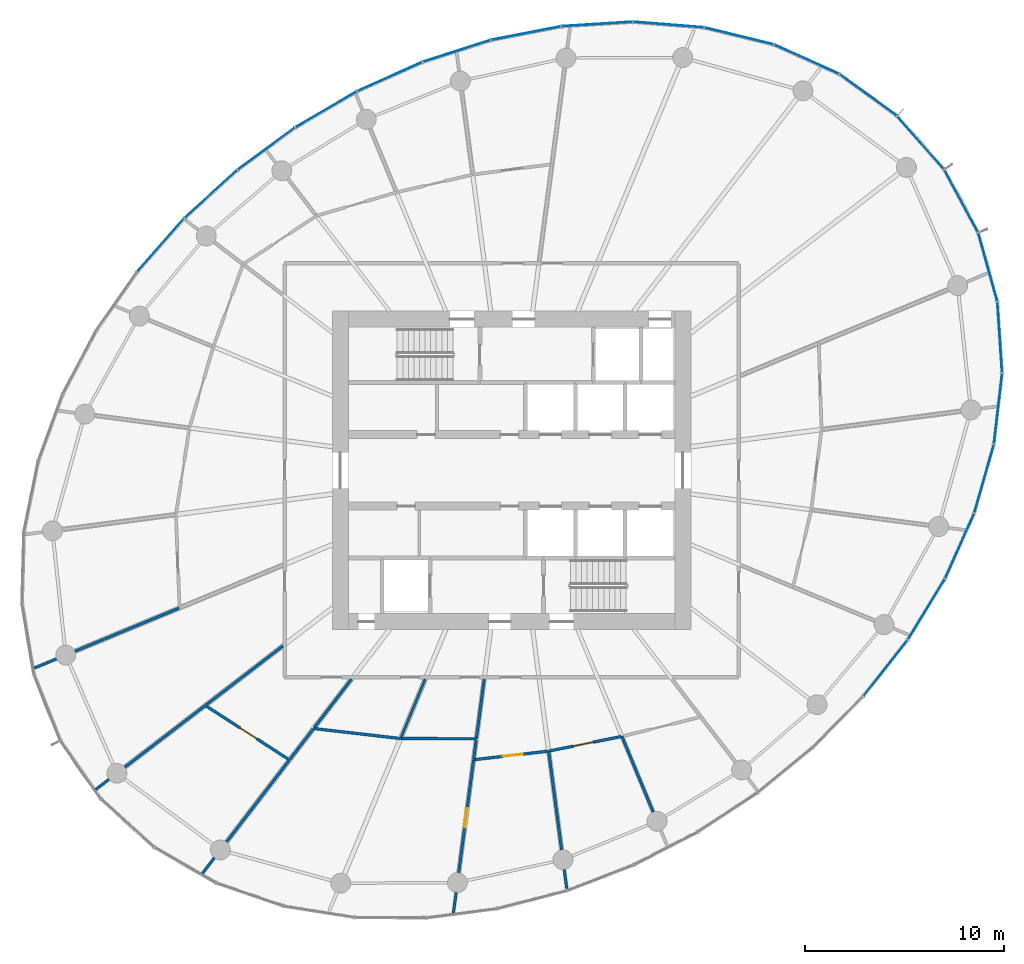
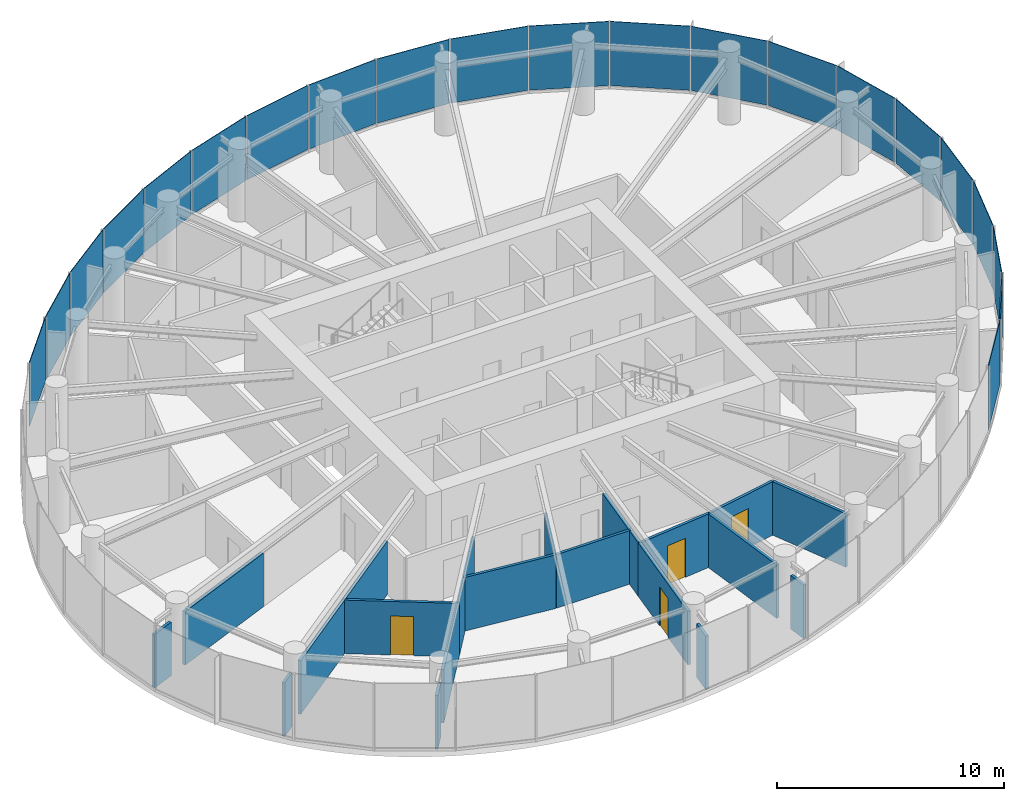
# One storey, part 8 of 14: 22 walls, 21 plates, 4 doors, 4 openings, 5 elements without a shape of their own.
"""IFC4 building model written with IfcOpenShell, lengths in metres."""

from ifc_helpers import new_model, si_unit, direction, frame, frame_2d, origin, origin_2d, place, context, subcontext, project, spatial, rectangle, extrude, source, transform, mapped, material, layer, layer_set, type_object, element, fill, aggregate, save


model = new_model("IFC4")

# Units and contexts
model_context = context("Model", 3, precision=1e-05, world=origin(), true_north=direction((0.0, 1.0)))
body_context = subcontext(model_context, "Body", "Model", "MODEL_VIEW")
ifc_project = project(units=[si_unit("LENGTHUNIT", "METRE"), si_unit("AREAUNIT", "SQUARE_METRE"), si_unit("VOLUMEUNIT", "CUBIC_METRE"), si_unit("PLANEANGLEUNIT", "RADIAN"), si_unit("MASSUNIT", "GRAM", prefix="KILO")], contexts=[model_context])

# Site, building, storey
site_placement = place(None, origin())
site = spatial("IfcSite", under=ifc_project, at=site_placement, CompositionType="ELEMENT")
building_placement = place(site_placement, origin())
building = spatial("IfcBuilding", under=site, at=building_placement, Name="Spindrift Exchange Tower", CompositionType="ELEMENT")
storey_placement = place(building_placement, frame((0.0, 0.0, 160.39990234375)))
storey = spatial("IfcBuildingStorey", under=building, at=storey_placement, Name="L38", CompositionType="ELEMENT", Elevation=160.39990234375)

# Curtain wall, plates
ifc_material_1 = material(Name="Fritted laminated glass with bronze frame", Category="glass")
ifc_layer_1 = layer(ifc_material_1, 0.179931640625)
ifc_layer_set_1 = layer_set([ifc_layer_1], Name="ZONE 3 BRONZE FRITTED WALL")
curtain_wall_type = type_object("IfcCurtainWallType", Name="ZONE 3 BRONZE FRITTED WALL", PredefinedType="NOTDEFINED", material=ifc_layer_set_1)
curtain_wall_1_placement = place(storey_placement, origin())
curtain_wall_1 = element("IfcCurtainWall", 1, at=curtain_wall_1_placement, inside=storey, type_object=curtain_wall_type, Name="L38 Zone 3 Bronze Fritted Wall run 2", PredefinedType="NOTDEFINED")
ifc_material_2 = material(Name="Bronze fritted laminated glass, open frit", Category="glass")
ifc_layer_2 = layer(ifc_material_2, 0.031982421875)
ifc_layer_set_2 = layer_set([ifc_layer_2], Name="ZONE 3 BRONZE FRITTED WALL PANEL OPEN FRIT 600")
plate_type_1 = type_object("IfcPlateType", Name="ZONE 3 BRONZE FRITTED WALL PANEL OPEN FRIT 600", PredefinedType="CURTAIN_PANEL", material=ifc_layer_set_2)
shared_shape_1 = source(origin(), body_context, "Body", "SweptSolid", [
    extrude(rectangle(XDim=3.53076171875, YDim=0.031982421875, at=origin_2d()), origin(), (0.0, 0.0, 1.0), 3.449951171875),
])
plate_1_placement = place(storey_placement, frame((45.88330078125, 67.772216796875, 0.1298828125), z_axis=(0.0, 0.0, 1.0), x_axis=(-0.912397501866, -0.409305263328, 0.0)))
plate_1 = element("IfcPlate", 2, at=plate_1_placement, type_object=plate_type_1, Name="L38 panel CW-3.9", PredefinedType="CURTAIN_PANEL", context=body_context, shape_type="MappedRepresentation", body=[
    mapped(shared_shape_1, transform((0.0, 0.0, 0.0), scale=1.0)),
])
ifc_layer_3 = layer(ifc_material_2, 0.031982421875)
ifc_layer_set_3 = layer_set([ifc_layer_3], Name="ZONE 3 BRONZE FRITTED WALL PANEL OPEN FRIT 360")
plate_type_2 = type_object("IfcPlateType", Name="ZONE 3 BRONZE FRITTED WALL PANEL OPEN FRIT 360", PredefinedType="CURTAIN_PANEL", material=ifc_layer_set_3)
shared_shape_2 = source(origin(), body_context, "Body", "SweptSolid", [
    extrude(rectangle(XDim=3.53076171875, YDim=0.031982421875, at=origin_2d()), origin(), (0.0, 0.0, 1.0), 3.449951171875),
])
plate_2_placement = place(storey_placement, frame((36.89794921875, 61.875244140625, 0.1298828125), z_axis=(0.0, 0.0, 1.0), x_axis=(-0.739077595143, -0.673620299841, 0.0)))
plate_2 = element("IfcPlate", 3, at=plate_2_placement, type_object=plate_type_2, Name="L38 panel CW-3.12", PredefinedType="CURTAIN_PANEL", context=body_context, shape_type="MappedRepresentation", body=[
    mapped(shared_shape_2, transform((0.0, 0.0, 0.0), scale=1.0)),
])
shared_shape_3 = source(origin(), body_context, "Body", "SweptSolid", [
    extrude(rectangle(XDim=3.530517578125, YDim=0.031982421875, at=origin_2d()), origin(), (0.0, 0.0, 1.0), 3.449951171875),
])
plate_3_placement = place(storey_placement, frame((49.239990234375, 69.059326171875, 0.1298828125), z_axis=(0.0, 0.0, 1.0), x_axis=(-0.952164599996, -0.305585625503, 0.0)))
plate_3 = element("IfcPlate", 4, at=plate_3_placement, type_object=plate_type_1, Name="L38 panel CW-3.8", PredefinedType="CURTAIN_PANEL", context=body_context, shape_type="MappedRepresentation", body=[
    mapped(shared_shape_3, transform((0.0, 0.0, 0.0), scale=1.0)),
])

# Curtain wall, plate
curtain_wall_2_placement = place(storey_placement, origin())
curtain_wall_2 = element("IfcCurtainWall", 5, at=curtain_wall_2_placement, inside=storey, type_object=curtain_wall_type, Name="L38 Zone 3 Bronze Fritted Wall run 6", PredefinedType="NOTDEFINED")
ifc_layer_4 = layer(ifc_material_2, 0.031982421875)
ifc_layer_set_4 = layer_set([ifc_layer_4], Name="ZONE 3 BRONZE FRITTED WALL PANEL OPEN FRIT 480")
plate_type_3 = type_object("IfcPlateType", Name="ZONE 3 BRONZE FRITTED WALL PANEL OPEN FRIT 480", PredefinedType="CURTAIN_PANEL", material=ifc_layer_set_4)
shared_shape_4 = source(origin(), body_context, "Body", "SweptSolid", [
    extrude(rectangle(XDim=3.530517578125, YDim=0.031982421875, at=origin_2d()), origin(), (0.0, 0.0, 1.0), 3.449951171875),
])
plate_4_placement = place(storey_placement, frame((70.774658203125, 38.069091796875, 0.1298828125), z_axis=(0.0, 0.0, 1.0), x_axis=(0.61845639947, 0.78581911529, 0.0)))
plate_4 = element("IfcPlate", 6, at=plate_4_placement, type_object=plate_type_3, Name="L38 panel CW-3.34", PredefinedType="CURTAIN_PANEL", context=body_context, shape_type="MappedRepresentation", body=[
    mapped(shared_shape_4, transform((0.0, 0.0, 0.0), scale=1.0)),
])

# Plate
shared_shape_5 = source(origin(), body_context, "Body", "SweptSolid", [
    extrude(rectangle(XDim=3.531005859375, YDim=0.031982421875, at=origin_2d()), origin(), (0.0, 0.0, 1.0), 3.449951171875),
])
plate_5_placement = place(storey_placement, frame((42.685791015625, 66.12744140625, 0.1298828125), z_axis=(0.0, 0.0, 1.0), x_axis=(-0.863565451016, -0.504236761661, 0.0)))
plate_5 = element("IfcPlate", 7, at=plate_5_placement, type_object=plate_type_3, Name="L38 panel CW-3.10", PredefinedType="CURTAIN_PANEL", context=body_context, shape_type="MappedRepresentation", body=[
    mapped(shared_shape_5, transform((0.0, 0.0, 0.0), scale=1.0)),
])

plate_6_placement = place(storey_placement, frame((39.6796875, 64.15380859375, 0.1298828125), z_axis=(0.0, 0.0, 1.0), x_axis=(-0.805965477943, -0.591962539663, 0.0)))
plate_6 = element("IfcPlate", 8, at=plate_6_placement, type_object=plate_type_3, Name="L38 panel CW-3.11", PredefinedType="CURTAIN_PANEL", context=body_context, shape_type="MappedRepresentation", body=[
    mapped(shared_shape_5, transform((0.0, 0.0, 0.0), scale=1.0)),
])

# Curtain wall, plate
curtain_wall_3_placement = place(storey_placement, origin())
curtain_wall_3 = element("IfcCurtainWall", 9, at=curtain_wall_3_placement, inside=storey, type_object=curtain_wall_type, Name="L38 Zone 3 Bronze Fritted Wall run 3", PredefinedType="NOTDEFINED")
shared_shape_6 = source(origin(), body_context, "Body", "SweptSolid", [
    extrude(rectangle(XDim=3.53076171875, YDim=0.031982421875, at=origin_2d()), origin(), (0.0, 0.0, 1.0), 3.449951171875),
])
plate_7_placement = place(storey_placement, frame((34.376220703125, 59.312744140625, 0.1298828125), z_axis=(0.0, 0.0, 1.0), x_axis=(-0.661686211487, -0.749780873008, 0.0)))
plate_7 = element("IfcPlate", 10, at=plate_7_placement, type_object=plate_type_3, Name="L38 panel CW-3.13", PredefinedType="CURTAIN_PANEL", context=body_context, shape_type="MappedRepresentation", body=[
    mapped(shared_shape_6, transform((0.0, 0.0, 0.0), scale=1.0)),
])
aggregate(curtain_wall_3, [plate_7])

curtain_wall_4_placement = place(storey_placement, origin())
curtain_wall_4 = element("IfcCurtainWall", 11, at=curtain_wall_4_placement, inside=storey, type_object=curtain_wall_type, Name="L38 Zone 3 Bronze Fritted Wall run 1", PredefinedType="NOTDEFINED")
shared_shape_7 = source(origin(), body_context, "Body", "SweptSolid", [
    extrude(rectangle(XDim=3.529052734375, YDim=0.031982421875, at=origin_2d()), origin(), (0.0, 0.0, 1.0), 3.449951171875),
])
plate_8_placement = place(storey_placement, frame((59.874755859375, 70.3828125, 0.1298828125), z_axis=(0.0, 0.0, 1.0), x_axis=(-0.99685097737, 0.079297723277, 0.0)))
plate_8 = element("IfcPlate", 12, at=plate_8_placement, type_object=plate_type_2, Name="L38 panel CW-3.5", PredefinedType="CURTAIN_PANEL", context=body_context, shape_type="MappedRepresentation", body=[
    mapped(shared_shape_7, transform((0.0, 0.0, 0.0), scale=1.0)),
])

# Plate
shared_shape_8 = source(origin(), body_context, "Body", "SweptSolid", [
    extrude(rectangle(XDim=3.52978515625, YDim=0.031982421875, at=origin_2d()), origin(), (0.0, 0.0, 1.0), 3.449951171875),
])
plate_9_placement = place(storey_placement, frame((74.49853515625, 44.19970703125, 0.1298828125), z_axis=(0.0, 0.0, 1.0), x_axis=(0.407490673381, 0.913209368714, 0.0)))
plate_9 = element("IfcPlate", 13, at=plate_9_placement, type_object=plate_type_2, Name="L38 panel CW-3.36", PredefinedType="CURTAIN_PANEL", context=body_context, shape_type="MappedRepresentation", body=[
    mapped(shared_shape_8, transform((0.0, 0.0, 0.0), scale=1.0)),
])

shared_shape_9 = source(origin(), body_context, "Body", "SweptSolid", [
    extrude(rectangle(XDim=3.5302734375, YDim=0.031982421875, at=origin_2d()), origin(), (0.0, 0.0, 1.0), 3.449951171875),
])
plate_10_placement = place(storey_placement, frame((72.82666015625, 41.019775390625, 0.1298828125), z_axis=(0.0, 0.0, 1.0), x_axis=(0.521344780273, 0.853346131462, 0.0)))
plate_10 = element("IfcPlate", 14, at=plate_10_placement, type_object=plate_type_2, Name="L38 panel CW-3.35", PredefinedType="CURTAIN_PANEL", context=body_context, shape_type="MappedRepresentation", body=[
    mapped(shared_shape_9, transform((0.0, 0.0, 0.0), scale=1.0)),
])

aggregate(curtain_wall_2, [plate_4, plate_10, plate_9])

# Curtain wall, plate
curtain_wall_5_placement = place(storey_placement, origin())
curtain_wall_5 = element("IfcCurtainWall", 15, at=curtain_wall_5_placement, inside=storey, type_object=curtain_wall_type, Name="L38 Zone 3 Bronze Fritted Wall run 7", PredefinedType="NOTDEFINED")
shared_shape_10 = source(origin(), body_context, "Body", "SweptSolid", [
    extrude(rectangle(XDim=3.529052734375, YDim=0.031982421875, at=origin_2d()), origin(), (0.0, 0.0, 1.0), 3.449951171875),
])
plate_11_placement = place(storey_placement, frame((75.723876953125, 47.574462890625, 0.1298828125), z_axis=(0.0, 0.0, 1.0), x_axis=(0.273314592, 0.96192470277, 0.0)))
plate_11 = element("IfcPlate", 16, at=plate_11_placement, type_object=plate_type_3, Name="L38 panel CW-3.37", PredefinedType="CURTAIN_PANEL", context=body_context, shape_type="MappedRepresentation", body=[
    mapped(shared_shape_10, transform((0.0, 0.0, 0.0), scale=1.0)),
])

# Plate
shared_shape_11 = source(origin(), body_context, "Body", "SweptSolid", [
    extrude(rectangle(XDim=3.528076171875, YDim=0.031982421875, at=origin_2d()), origin(), (0.0, 0.0, 1.0), 3.449951171875),
])
plate_12_placement = place(storey_placement, frame((63.416015625, 69.81201171875, 0.1298828125), z_axis=(0.0, 0.0, 1.0), x_axis=(-0.971255303602, 0.238040196656, 0.0)))
plate_12 = element("IfcPlate", 17, at=plate_12_placement, type_object=plate_type_3, Name="L38 panel CW-3.4", PredefinedType="CURTAIN_PANEL", context=body_context, shape_type="MappedRepresentation", body=[
    mapped(shared_shape_11, transform((0.0, 0.0, 0.0), scale=1.0)),
])

shared_shape_12 = source(origin(), body_context, "Body", "SweptSolid", [
    extrude(rectangle(XDim=3.524658203125, YDim=0.031982421875, at=origin_2d()), origin(), (0.0, 0.0, 1.0), 3.449951171875),
])
plate_13_placement = place(storey_placement, frame((72.542724609375, 64.44921875, 0.1298828125), z_axis=(0.0, 0.0, 1.0), x_axis=(-0.660662258976, 0.750683275133, 0.0)))
plate_13 = element("IfcPlate", 18, at=plate_13_placement, type_object=plate_type_3, Name="L38 panel CW-3.1", PredefinedType="CURTAIN_PANEL", context=body_context, shape_type="MappedRepresentation", body=[
    mapped(shared_shape_12, transform((0.0, 0.0, 0.0), scale=1.0)),
])

shared_shape_13 = source(origin(), body_context, "Body", "SweptSolid", [
    extrude(rectangle(XDim=3.528076171875, YDim=0.031982421875, at=origin_2d()), origin(), (0.0, 0.0, 1.0), 3.449951171875),
])
plate_14_placement = place(storey_placement, frame((76.423583984375, 51.092529296875, 0.1298828125), z_axis=(0.0, 0.0, 1.0), x_axis=(0.115642762791, 0.993290869491, 0.0)))
plate_14 = element("IfcPlate", 19, at=plate_14_placement, type_object=plate_type_1, Name="L38 panel CW-3.38", PredefinedType="CURTAIN_PANEL", context=body_context, shape_type="MappedRepresentation", body=[
    mapped(shared_shape_13, transform((0.0, 0.0, 0.0), scale=1.0)),
])

shared_shape_14 = source(origin(), body_context, "Body", "SweptSolid", [
    extrude(rectangle(XDim=3.52978515625, YDim=0.031982421875, at=origin_2d()), origin(), (0.0, 0.0, 1.0), 3.449951171875),
])
plate_15_placement = place(storey_placement, frame((56.284423828125, 70.411376953125, 0.1298828125), z_axis=(0.0, 0.0, 1.0), x_axis=(-0.997985196904, -0.063447196626, 0.0)))
plate_15 = element("IfcPlate", 20, at=plate_15_placement, type_object=plate_type_3, Name="L38 panel CW-3.6", PredefinedType="CURTAIN_PANEL", context=body_context, shape_type="MappedRepresentation", body=[
    mapped(shared_shape_14, transform((0.0, 0.0, 0.0), scale=1.0)),
])

shared_shape_15 = source(origin(), body_context, "Body", "SweptSolid", [
    extrude(rectangle(XDim=3.525634765625, YDim=0.031982421875, at=origin_2d()), origin(), (0.0, 0.0, 1.0), 3.449951171875),
])
plate_16_placement = place(storey_placement, frame((75.912109375, 58.20068359375, 0.1298828125), z_axis=(0.0, 0.0, 1.0), x_axis=(-0.267551186541, 0.963543648508, 0.0)))
plate_16 = element("IfcPlate", 21, at=plate_16_placement, type_object=plate_type_3, Name="L38 panel CW-3.40", PredefinedType="CURTAIN_PANEL", context=body_context, shape_type="MappedRepresentation", body=[
    mapped(shared_shape_15, transform((0.0, 0.0, 0.0), scale=1.0)),
])

shared_shape_16 = source(origin(), body_context, "Body", "SweptSolid", [
    extrude(rectangle(XDim=3.5302734375, YDim=0.031982421875, at=origin_2d()), origin(), (0.0, 0.0, 1.0), 3.449951171875),
])
plate_17_placement = place(storey_placement, frame((52.72119140625, 69.953369140625, 0.1298828125), z_axis=(0.0, 0.0, 1.0), x_axis=(-0.981587532358, -0.191012869514, 0.0)))
plate_17 = element("IfcPlate", 22, at=plate_17_placement, type_object=plate_type_1, Name="L38 panel CW-3.7", PredefinedType="CURTAIN_PANEL", context=body_context, shape_type="MappedRepresentation", body=[
    mapped(shared_shape_16, transform((0.0, 0.0, 0.0), scale=1.0)),
])

aggregate(curtain_wall_1, [plate_17, plate_3, plate_1, plate_5, plate_6, plate_2])

shared_shape_17 = source(origin(), body_context, "Body", "SweptSolid", [
    extrude(rectangle(XDim=3.525634765625, YDim=0.031982421875, at=origin_2d()), origin(), (0.0, 0.0, 1.0), 3.449951171875),
])
plate_18_placement = place(storey_placement, frame((69.8994140625, 66.853515625, 0.1298828125), z_axis=(0.0, 0.0, 1.0), x_axis=(-0.809757036341, 0.586765321143, 0.0)))
plate_18 = element("IfcPlate", 23, at=plate_18_placement, type_object=plate_type_1, Name="L38 panel CW-3.2", PredefinedType="CURTAIN_PANEL", context=body_context, shape_type="MappedRepresentation", body=[
    mapped(shared_shape_17, transform((0.0, 0.0, 0.0), scale=1.0)),
])

shared_shape_18 = source(origin(), body_context, "Body", "SweptSolid", [
    extrude(rectangle(XDim=3.52685546875, YDim=0.031982421875, at=origin_2d()), origin(), (0.0, 0.0, 1.0), 3.449951171875),
])
plate_19_placement = place(storey_placement, frame((66.803466796875, 68.64599609375, 0.1298828125), z_axis=(0.0, 0.0, 1.0), x_axis=(-0.9120027449, 0.410184096832, 0.0)))
plate_19 = element("IfcPlate", 24, at=plate_19_placement, type_object=plate_type_1, Name="L38 panel CW-3.3", PredefinedType="CURTAIN_PANEL", context=body_context, shape_type="MappedRepresentation", body=[
    mapped(shared_shape_18, transform((0.0, 0.0, 0.0), scale=1.0)),
])

aggregate(curtain_wall_4, [plate_13, plate_18, plate_19, plate_12, plate_8, plate_15])

plate_20_placement = place(storey_placement, frame((76.512451171875, 54.674072265625, 0.1298828125), z_axis=(0.0, 0.0, 1.0), x_axis=(-0.066390579917, 0.997793711595, 0.0)))
plate_20 = element("IfcPlate", 25, at=plate_20_placement, type_object=plate_type_1, Name="L38 panel CW-3.39", PredefinedType="CURTAIN_PANEL", context=body_context, shape_type="MappedRepresentation", body=[
    mapped(shared_shape_18, transform((0.0, 0.0, 0.0), scale=1.0)),
])

shared_shape_19 = source(origin(), body_context, "Body", "SweptSolid", [
    extrude(rectangle(XDim=3.52490234375, YDim=0.031982421875, at=origin_2d()), origin(), (0.0, 0.0, 1.0), 3.449951171875),
])
plate_21_placement = place(storey_placement, frame((74.58056640625, 61.5166015625, 0.1298828125), z_axis=(0.0, 0.0, 1.0), x_axis=(-0.473127475376, 0.880993979574, 0.0)))
plate_21 = element("IfcPlate", 26, at=plate_21_placement, type_object=plate_type_1, Name="L38 panel CW-3.41", PredefinedType="CURTAIN_PANEL", context=body_context, shape_type="MappedRepresentation", body=[
    mapped(shared_shape_19, transform((0.0, 0.0, 0.0), scale=1.0)),
])

aggregate(curtain_wall_5, [plate_11, plate_14, plate_20, plate_16, plate_21])

# Wall, opening, door
ifc_material_3 = material(Name="Fire-rated plasterboard partition", Category="gypsum")
ifc_layer_5 = layer(ifc_material_3, 0.139892578125)
ifc_layer_set_5 = layer_set([ifc_layer_5], Name="W-PART-140")
wall_type_1 = type_object("IfcWallType", Name="W-PART-140", PredefinedType="PARTITIONING", material=ifc_layer_set_5)
wall_1_placement = place(storey_placement, frame((49.33984375, 27.794921875, 0.0), z_axis=(0.0, 0.0, 1.0), x_axis=(0.13055608231, 0.99144092581, 0.0)))
wall_1 = element("IfcWall", 27, at=wall_1_placement, inside=storey, type_object=wall_type_1, Name="L38 Partition wall 35", PredefinedType="PARTITIONING", context=body_context, shape_type="SweptSolid", body=[
    extrude(rectangle(XDim=5.720458984375, YDim=0.139892578125, at=frame_2d((2.8603515625, 0.0))), origin(), (0.0, 0.0, 1.0), 2.880126953125),
])
opening_1_placement = place(wall_1_placement, frame((2.2705078125, 0.0, 0.0)))
opening_1 = element("IfcOpeningElement", 28, at=opening_1_placement, cuts=wall_1, Name="Opening L38-D25", PredefinedType="OPENING", context=body_context, shape_type="SweptSolid", body=[
    extrude(rectangle(XDim=1.0, YDim=2.10009765625, at=frame_2d((0.5, 1.050048828125))), frame((0.0, 0.079833984375, 0.0), z_axis=(0.0, -1.0, 0.0), x_axis=(1.0, 0.0, 0.0)), (0.0, 0.0, 1.0), 0.159912109375),
])
ifc_material_4 = material(Name="Timber-core fire door", Category="wood")
door_type = type_object("IfcDoorType", Name="DR-ROOM-1000", OperationType="NOTDEFINED", PredefinedType="DOOR", material=ifc_material_4)
shared_shape_20 = source(origin(), body_context, "Body", "SweptSolid", [
    extrude(rectangle(XDim=1.0, YDim=2.10009765625, at=frame_2d((0.5, 1.050048828125))), frame((0.0, 0.02490234375, 0.0), z_axis=(0.0, -1.0, 0.0), x_axis=(1.0, 0.0, 0.0)), (0.0, 0.0, 1.0), 0.050048828125),
])
door_1_placement = place(opening_1_placement, origin())
door_1 = element("IfcDoor", 29, at=door_1_placement, inside=storey, type_object=door_type, Name="L38 Door 25", OperationType="SINGLE_SWING_LEFT", OverallHeight=2.10009765625, OverallWidth=1.0, PredefinedType="DOOR", context=body_context, shape_type="MappedRepresentation", body=[
    mapped(shared_shape_20, transform((0.0, 0.0, 0.0), scale=1.0)),
])
fill(opening_1, door_1)

# Walls
wall_2_placement = place(storey_placement, frame((35.292724609375, 41.07958984375, 0.0), z_axis=(0.0, 0.0, 1.0), x_axis=(-0.923883666289, -0.38267345239, 0.0)))
element("IfcWall", 30, at=wall_2_placement, inside=storey, type_object=wall_type_1, Name="L38 Partition wall 37", PredefinedType="PARTITIONING", context=body_context, shape_type="SweptSolid", body=[
    extrude(rectangle(XDim=5.6533203125, YDim=0.139892578125, at=frame_2d((2.82666015625, 0.0))), origin(), (0.0, 0.0, 1.0), 2.880126953125),
])
wall_3_placement = place(storey_placement, frame((40.840576171875, 33.456787109375, 0.0), z_axis=(0.0, 0.0, 1.0), x_axis=(-0.608780216018, -0.793338924159, 0.0)))
element("IfcWall", 31, at=wall_3_placement, inside=storey, type_object=wall_type_1, Name="L38 Partition wall 38", PredefinedType="PARTITIONING", context=body_context, shape_type="SweptSolid", body=[
    extrude(rectangle(XDim=5.188232421875, YDim=0.139892578125, at=frame_2d((2.59423828125, 0.0))), origin(), (0.0, 0.0, 1.0), 2.880126953125),
])
wall_4_placement = place(storey_placement, frame((36.6142578125, 36.194091796875, 0.0), z_axis=(0.0, 0.0, 1.0), x_axis=(-0.79337017358, -0.608739490811, 0.0)))
element("IfcWall", 32, at=wall_4_placement, inside=storey, type_object=wall_type_1, Name="L38 Partition wall 39", PredefinedType="PARTITIONING", context=body_context, shape_type="SweptSolid", body=[
    extrude(rectangle(XDim=5.09228515625, YDim=0.139892578125, at=frame_2d((2.546142578125, 0.0))), origin(), (0.0, 0.0, 1.0), 2.880126953125),
])

# Wall, opening, door
wall_5_placement = place(storey_placement, frame((40.78173828125, 33.4951171875, 0.0), z_axis=(0.0, 0.0, 1.0), x_axis=(-0.839336490457, 0.543612229247, 0.0)))
wall_5 = element("IfcWall", 33, at=wall_5_placement, inside=storey, type_object=wall_type_1, Name="L38 Partition wall 40", PredefinedType="PARTITIONING", context=body_context, shape_type="SweptSolid", body=[
    extrude(rectangle(XDim=4.935302734375, YDim=0.139892578125, at=frame_2d((2.4677734375, 0.0))), origin(), (0.0, 0.0, 1.0), 2.880126953125),
])
opening_2_placement = place(wall_5_placement, frame((1.885009765625, 0.0, 0.0)))
opening_2 = element("IfcOpeningElement", 34, at=opening_2_placement, cuts=wall_5, Name="Opening L38-D44", PredefinedType="OPENING", context=body_context, shape_type="SweptSolid", body=[
    extrude(rectangle(XDim=1.0, YDim=2.10009765625, at=frame_2d((0.5, 1.050048828125))), frame((0.0, 0.079833984375, 0.0), z_axis=(0.0, -1.0, 0.0), x_axis=(1.0, 0.0, 0.0)), (0.0, 0.0, 1.0), 0.159912109375),
])
door_2_placement = place(opening_2_placement, origin())
door_2 = element("IfcDoor", 35, at=door_2_placement, inside=storey, type_object=door_type, Name="L38 Door 44", OperationType="SINGLE_SWING_RIGHT", OverallHeight=2.10009765625, OverallWidth=1.0, PredefinedType="DOOR", context=body_context, shape_type="MappedRepresentation", body=[
    mapped(shared_shape_20, transform((0.0, 0.0, 0.0), scale=1.0)),
])
fill(opening_2, door_2)

# Walls
wall_6_placement = place(storey_placement, frame((40.510009765625, 39.183349609375, 0.0), z_axis=(0.0, 0.0, 1.0), x_axis=(-0.793354275357, -0.608760210405, 0.0)))
element("IfcWall", 36, at=wall_6_placement, inside=storey, type_object=wall_type_1, Name="L38 Partition wall 41", PredefinedType="PARTITIONING", context=body_context, shape_type="SweptSolid", body=[
    extrude(rectangle(XDim=4.88037109375, YDim=0.139892578125, at=frame_2d((2.440185546875, 0.0))), origin(), (0.0, 0.0, 1.0), 2.880126953125),
])
wall_7_placement = place(storey_placement, frame((53.856201171875, 33.900390625, 0.0), z_axis=(0.0, 0.0, 1.0), x_axis=(0.130517737487, -0.991445974424, 0.0)))
element("IfcWall", 37, at=wall_7_placement, inside=storey, type_object=wall_type_1, Name="L38 Partition wall 43", PredefinedType="PARTITIONING", context=body_context, shape_type="SweptSolid", body=[
    extrude(rectangle(XDim=4.994384765625, YDim=0.139892578125, at=frame_2d((2.4970703125, 0.0))), origin(), (0.0, 0.0, 1.0), 2.880126953125),
])
wall_8_placement = place(storey_placement, frame((42.0517578125, 35.03515625, 0.0), z_axis=(0.0, 0.0, 1.0), x_axis=(0.993448498383, -0.114280711669, 0.0)))
element("IfcWall", 38, at=wall_8_placement, inside=storey, type_object=wall_type_1, Name="L38 Partition wall 51", PredefinedType="PARTITIONING", context=body_context, shape_type="SweptSolid", body=[
    extrude(rectangle(XDim=4.398681640625, YDim=0.139892578125, at=frame_2d((2.19921875, 0.0))), origin(), (0.0, 0.0, 1.0), 2.880126953125),
])
wall_9_placement = place(storey_placement, frame((57.5341796875, 34.639404296875, 0.0), z_axis=(0.0, 0.0, 1.0), x_axis=(0.382696163026, -0.923874259196, 0.0)))
element("IfcWall", 39, at=wall_9_placement, inside=storey, type_object=wall_type_1, Name="L38 Partition wall 57", PredefinedType="PARTITIONING", context=body_context, shape_type="SweptSolid", body=[
    extrude(rectangle(XDim=4.111572265625, YDim=0.139892578125, at=frame_2d((2.0556640625, 0.0))), origin(), (0.0, 0.0, 1.0), 2.880126953125),
])
wall_10_placement = place(storey_placement, frame((46.45166015625, 34.532470703125, 0.0), z_axis=(0.0, 0.0, 1.0), x_axis=(0.999995948964, -0.002846411033, 0.0)))
element("IfcWall", 40, at=wall_10_placement, inside=storey, type_object=wall_type_1, Name="L38 Partition wall 63", PredefinedType="PARTITIONING", context=body_context, shape_type="SweptSolid", body=[
    extrude(rectangle(XDim=3.77392578125, YDim=0.139892578125, at=frame_2d((1.886962890625, 0.0))), origin(), (0.0, 0.0, 1.0), 2.880126953125),
])

# Wall, opening, door
wall_11_placement = place(storey_placement, frame((53.826416015625, 33.89697265625, 0.0), z_axis=(0.0, 0.0, 1.0), x_axis=(-0.993434107381, -0.114405744138, 0.0)))
wall_11 = element("IfcWall", 41, at=wall_11_placement, inside=storey, type_object=wall_type_1, Name="L38 Partition wall 64", PredefinedType="PARTITIONING", context=body_context, shape_type="SweptSolid", body=[
    extrude(rectangle(XDim=3.734375, YDim=0.139892578125, at=frame_2d((1.8671875, 0.0))), origin(), (0.0, 0.0, 1.0), 2.880126953125),
])
opening_3_placement = place(wall_11_placement, frame((1.28466796875, 0.0, 0.0)))
opening_3 = element("IfcOpeningElement", 42, at=opening_3_placement, cuts=wall_11, Name="Opening L38-D22", PredefinedType="OPENING", context=body_context, shape_type="SweptSolid", body=[
    extrude(rectangle(XDim=1.0, YDim=2.10009765625, at=frame_2d((0.5, 1.050048828125))), frame((0.0, 0.079833984375, 0.0), z_axis=(0.0, -1.0, 0.0), x_axis=(1.0, 0.0, 0.0)), (0.0, 0.0, 1.0), 0.159912109375),
])
door_3_placement = place(opening_3_placement, origin())
door_3 = element("IfcDoor", 43, at=door_3_placement, inside=storey, type_object=door_type, Name="L38 Door 22", OperationType="SINGLE_SWING_RIGHT", OverallHeight=2.10009765625, OverallWidth=1.0, PredefinedType="DOOR", context=body_context, shape_type="MappedRepresentation", body=[
    mapped(shared_shape_20, transform((0.0, 0.0, 0.0), scale=1.0)),
])
fill(opening_3, door_3)

wall_12_placement = place(storey_placement, frame((57.504638671875, 34.633544921875, 0.0), z_axis=(0.0, 0.0, 1.0), x_axis=(-0.980399657824, -0.197019062376, 0.0)))
wall_12 = element("IfcWall", 44, at=wall_12_placement, inside=storey, type_object=wall_type_1, Name="L38 Partition wall 65", PredefinedType="PARTITIONING", context=body_context, shape_type="SweptSolid", body=[
    extrude(rectangle(XDim=3.69140625, YDim=0.139892578125, at=frame_2d((1.845703125, 0.0))), origin(), (0.0, 0.0, 1.0), 2.880126953125),
])
opening_4_placement = place(wall_12_placement, frame((1.44140625, 0.0, 0.0)))
opening_4 = element("IfcOpeningElement", 45, at=opening_4_placement, cuts=wall_12, Name="Opening L38-D23", PredefinedType="OPENING", context=body_context, shape_type="SweptSolid", body=[
    extrude(rectangle(XDim=1.0, YDim=2.10009765625, at=frame_2d((0.5, 1.050048828125))), frame((0.0, 0.079833984375, 0.0), z_axis=(0.0, -1.0, 0.0), x_axis=(1.0, 0.0, 0.0)), (0.0, 0.0, 1.0), 0.159912109375),
])
door_4_placement = place(opening_4_placement, origin())
door_4 = element("IfcDoor", 46, at=door_4_placement, inside=storey, type_object=door_type, Name="L38 Door 23", OperationType="SINGLE_SWING_LEFT", OverallHeight=2.10009765625, OverallWidth=1.0, PredefinedType="DOOR", context=body_context, shape_type="MappedRepresentation", body=[
    mapped(shared_shape_20, transform((0.0, 0.0, 0.0), scale=1.0)),
])
fill(opening_4, door_4)

# Walls
wall_13_placement = place(storey_placement, frame((43.95068359375, 37.510009765625, 0.0), z_axis=(0.0, 0.0, 1.0), x_axis=(-0.608758797461, -0.793355359542, 0.0)))
element("IfcWall", 47, at=wall_13_placement, inside=storey, type_object=wall_type_1, Name="L38 Partition wall 68", PredefinedType="PARTITIONING", context=body_context, shape_type="SweptSolid", body=[
    extrude(rectangle(XDim=3.037841796875, YDim=0.139892578125, at=frame_2d((1.51904296875, 0.0))), origin(), (0.0, 0.0, 1.0), 2.880126953125),
])
wall_14_placement = place(storey_placement, frame((50.618896484375, 37.510009765625, 0.0), z_axis=(0.0, 0.0, 1.0), x_axis=(-0.13049684078, -0.991448725122, 0.0)))
element("IfcWall", 48, at=wall_14_placement, inside=storey, type_object=wall_type_1, Name="L38 Partition wall 69", PredefinedType="PARTITIONING", context=body_context, shape_type="SweptSolid", body=[
    extrude(rectangle(XDim=2.984130859375, YDim=0.139892578125, at=frame_2d((1.4921875, 0.0))), origin(), (0.0, 0.0, 1.0), 2.880126953125),
])
wall_15_placement = place(storey_placement, frame((42.033447265625, 35.011474609375, 0.0), z_axis=(0.0, 0.0, 1.0), x_axis=(-0.608750262105, -0.793361908833, 0.0)))
element("IfcWall", 49, at=wall_15_placement, inside=storey, type_object=wall_type_1, Name="L38 Partition wall 77", PredefinedType="PARTITIONING", context=body_context, shape_type="SweptSolid", body=[
    extrude(rectangle(XDim=1.929443359375, YDim=0.139892578125, at=frame_2d((0.96484375, 0.0))), origin(), (0.0, 0.0, 1.0), 2.880126953125),
])
wall_16_placement = place(storey_placement, frame((29.13671875, 38.52978515625, 0.0), z_axis=(0.0, 0.0, 1.0), x_axis=(-0.923882723383, -0.382675728829, 0.0)))
element("IfcWall", 50, at=wall_16_placement, inside=storey, type_object=wall_type_1, Name="L38 Partition wall 79", PredefinedType="PARTITIONING", context=body_context, shape_type="SweptSolid", body=[
    extrude(rectangle(XDim=1.1982421875, YDim=0.139892578125, at=frame_2d((0.59912109375, 0.0))), origin(), (0.0, 0.0, 1.0), 2.880126953125),
])
wall_17_placement = place(storey_placement, frame((50.21630859375, 34.45166015625, 0.0), z_axis=(0.0, 0.0, 1.0), x_axis=(-0.130454512571, -0.991454295543, 0.0)))
element("IfcWall", 51, at=wall_17_placement, inside=storey, type_object=wall_type_1, Name="L38 Partition wall 81", PredefinedType="PARTITIONING", context=body_context, shape_type="SweptSolid", body=[
    extrude(rectangle(XDim=0.9638671875, YDim=0.139892578125, at=frame_2d((0.48193359375, 0.0))), origin(), (0.0, 0.0, 1.0), 2.880126953125),
])
wall_18_placement = place(storey_placement, frame((49.208251953125, 26.794677734375, 0.0), z_axis=(0.0, 0.0, 1.0), x_axis=(-0.130569518357, -0.991439156417, 0.0)))
element("IfcWall", 52, at=wall_18_placement, inside=storey, type_object=wall_type_1, Name="L38 Partition wall 82", PredefinedType="PARTITIONING", context=body_context, shape_type="SweptSolid", body=[
    extrude(rectangle(XDim=1.04345703125, YDim=0.139892578125, at=frame_2d((0.521728515625, 0.0))), origin(), (0.0, 0.0, 1.0), 2.880126953125),
])
wall_19_placement = place(storey_placement, frame((37.068115234375, 28.540283203125, 0.0), z_axis=(0.0, 0.0, 1.0), x_axis=(-0.608815264587, -0.793312027897, 0.0)))
element("IfcWall", 53, at=wall_19_placement, inside=storey, type_object=wall_type_1, Name="L38 Partition wall 84", PredefinedType="PARTITIONING", context=body_context, shape_type="SweptSolid", body=[
    extrude(rectangle(XDim=1.014892578125, YDim=0.139892578125, at=frame_2d((0.50732421875, 0.0))), origin(), (0.0, 0.0, 1.0), 2.880126953125),
])
wall_20_placement = place(storey_placement, frame((54.639892578125, 27.948486328125, 0.0), z_axis=(0.0, 0.0, 1.0), x_axis=(0.130434626054, -0.991456911987, 0.0)))
element("IfcWall", 54, at=wall_20_placement, inside=storey, type_object=wall_type_1, Name="L38 Partition wall 85", PredefinedType="PARTITIONING", context=body_context, shape_type="SweptSolid", body=[
    extrude(rectangle(XDim=0.95263671875, YDim=0.139892578125, at=frame_2d((0.476318359375, 0.0))), origin(), (0.0, 0.0, 1.0), 2.880126953125),
])
wall_21_placement = place(storey_placement, frame((31.77392578125, 32.47998046875, 0.0), z_axis=(0.0, 0.0, 1.0), x_axis=(-0.793296212725, -0.608835871871, 0.0)))
element("IfcWall", 55, at=wall_21_placement, inside=storey, type_object=wall_type_1, Name="L38 Partition wall 93", PredefinedType="PARTITIONING", context=body_context, shape_type="SweptSolid", body=[
    extrude(rectangle(XDim=0.83642578125, YDim=0.139892578125, at=frame_2d((0.418212890625, 0.0))), origin(), (0.0, 0.0, 1.0), 2.880126953125),
])
ifc_layer_6 = layer(ifc_material_3, 0.1201171875)
ifc_layer_set_6 = layer_set([ifc_layer_6], Name="W-WET-120")
wall_type_2 = type_object("IfcWallType", Name="W-WET-120", PredefinedType="PARTITIONING", material=ifc_layer_set_6)
wall_22_placement = place(storey_placement, frame((47.65478515625, 37.510009765625, 0.0), z_axis=(0.0, 0.0, 1.0), x_axis=(-0.382648952505, -0.923893813783, 0.0)))
element("IfcWall", 56, at=wall_22_placement, inside=storey, type_object=wall_type_2, Name="L38 Partition wall 99", PredefinedType="PARTITIONING", context=body_context, shape_type="SweptSolid", body=[
    extrude(rectangle(XDim=3.192626953125, YDim=0.1201171875, at=frame_2d((1.59619140625, 0.0))), origin(), (0.0, 0.0, 1.0), 2.880126953125),
])

save(model, "model.ifc")
